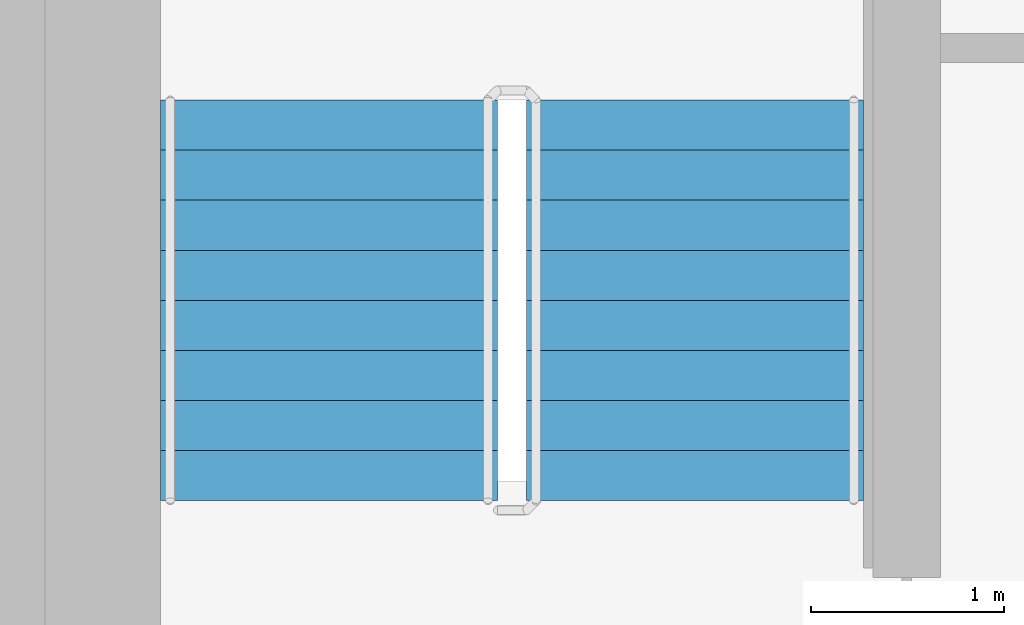
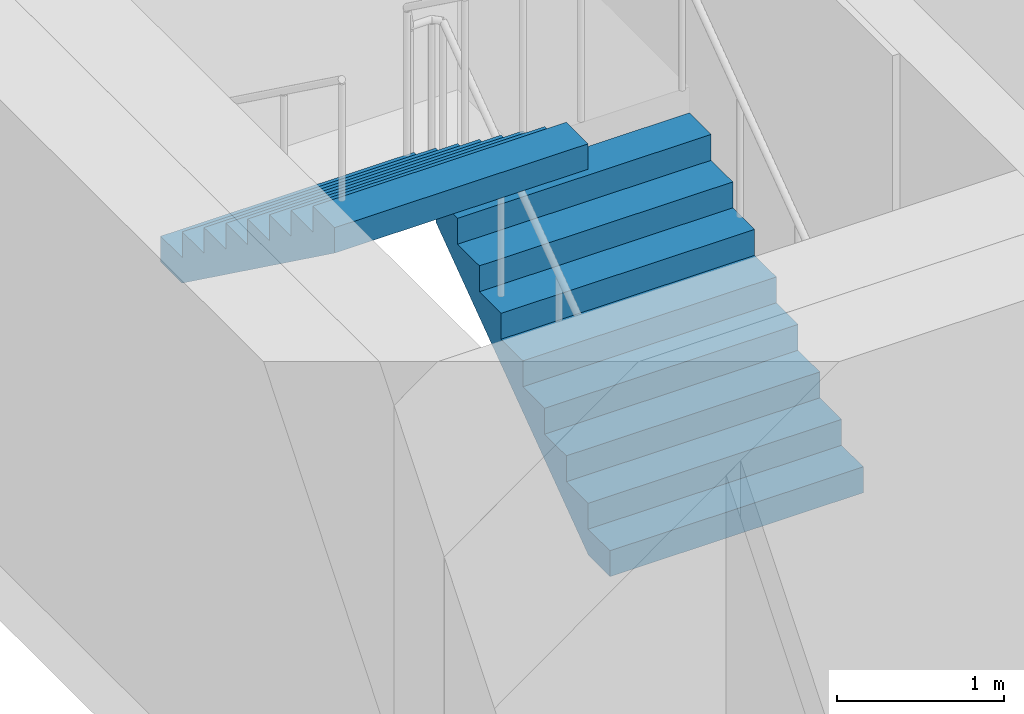
# One storey, part 15 of 18: 2 stair flights, 1 element without a shape of its own.
"""IFC4 building model written with IfcOpenShell, lengths in metres."""

from ifc_helpers import new_model, si_unit, direction, frame, origin, place, context, subcontext, project, spatial, faceted_brep, material, type_object, element, aggregate, save


model = new_model("IFC4")

# Units and contexts
model_context = context("Model", 3, precision=1e-05, world=origin(), true_north=direction((0.0, 1.0)))
body_context = subcontext(model_context, "Body", "Model", "MODEL_VIEW")
ifc_project = project(units=[si_unit("LENGTHUNIT", "METRE"), si_unit("AREAUNIT", "SQUARE_METRE"), si_unit("VOLUMEUNIT", "CUBIC_METRE"), si_unit("PLANEANGLEUNIT", "RADIAN"), si_unit("MASSUNIT", "GRAM", prefix="KILO")], contexts=[model_context])

# Site, building, storey
site_placement = place(None, origin())
site = spatial("IfcSite", under=ifc_project, at=site_placement, CompositionType="ELEMENT")
building_placement = place(site_placement, origin())
building = spatial("IfcBuilding", under=site, at=building_placement, Name="Ipe Terrace Towers", CompositionType="ELEMENT")
storey_placement = place(building_placement, frame((0.0, 0.0, 216.39990234375)))
storey = spatial("IfcBuildingStorey", under=building, at=storey_placement, Name="L60", CompositionType="ELEMENT", Elevation=216.39990234375)

# Stair, stair flights
ifc_material_1 = material(Name="Concrete C30/37", Category="concrete")
stair_type = type_object("IfcStairType", Name="Protected exit stair", PredefinedType="HALF_TURN_STAIR", material=ifc_material_1)
stair_placement = place(storey_placement, origin())
stair = element("IfcStair", 1, at=stair_placement, inside=storey, type_object=stair_type, Name="L60 Exit stair T2-C1", PredefinedType="HALF_TURN_STAIR")
ifc_material_2 = material(Name="Concrete C30/37", Category="concrete")
stair_flight_type = type_object("IfcStairFlightType", Name="Exit stair flight 1750", PredefinedType="STRAIGHT", material=ifc_material_2)
stair_flight_1_placement = place(storey_placement, frame((33.22509765625, 9.699951171875, 0.0), z_axis=(0.0, 0.0, 1.0), x_axis=(0.0, 1.0, 0.0)))
stair_flight_1 = element("IfcStairFlight", 2, at=stair_flight_1_placement, type_object=stair_flight_type, Name="T2-ST1 flight 1", NumberOfRisers=9, NumberOfTreads=8, PredefinedType="STRAIGHT", RiserHeight=0.188888889, TreadLength=0.26, context=body_context, shape_type="Brep", body=[
    faceted_brep([(0.255126953125, -0.875, 0.0), (2.080078125, -0.875, 1.325927734375), (2.080078125, -0.875, 1.51123046875), (1.820068359375, -0.875, 1.51123046875), (1.820068359375, -0.875, 1.322265625), (1.56005859375, -0.875, 1.322265625), (1.56005859375, -0.875, 1.13330078125), (1.300048828125, -0.875, 1.13330078125), (1.300048828125, -0.875, 0.9443359375), (1.0400390625, -0.875, 0.9443359375), (1.0400390625, -0.875, 0.755615234375), (0.780029296875, -0.875, 0.755615234375), (0.780029296875, -0.875, 0.566650390625), (0.52001953125, -0.875, 0.566650390625), (0.52001953125, -0.875, 0.377685546875), (0.260009765625, -0.875, 0.377685546875), (0.260009765625, -0.875, 0.18896484375), (0.0, -0.875, 0.18896484375), (0.0, -0.875, 0.0), (0.0, 0.875, 0.0), (0.0, 0.875, 0.18896484375), (0.260009765625, 0.875, 0.18896484375), (0.260009765625, 0.875, 0.377685546875), (0.52001953125, 0.875, 0.377685546875), (0.52001953125, 0.875, 0.566650390625), (0.780029296875, 0.875, 0.566650390625), (0.780029296875, 0.875, 0.755615234375), (1.0400390625, 0.875, 0.755615234375), (1.0400390625, 0.875, 0.9443359375), (1.300048828125, 0.875, 0.9443359375), (1.300048828125, 0.875, 1.13330078125), (1.56005859375, 0.875, 1.13330078125), (1.56005859375, 0.875, 1.322265625), (1.820068359375, 0.875, 1.322265625), (1.820068359375, 0.875, 1.51123046875), (2.080078125, 0.875, 1.51123046875), (2.080078125, 0.875, 1.325927734375), (0.255126953125, 0.875, 0.0), (0.0, -0.300048828125, 0.18896484375), (0.0, -0.1201171875, 0.18896484375), (0.0, -0.06005859375, 0.18896484375), (0.0, -0.030029296875, 0.18896484375), (0.0, -0.010009765625, 0.18896484375), (0.0, 0.0, 0.18896484375), (0.0, 0.010009765625, 0.18896484375), (0.0, 0.030029296875, 0.18896484375), (0.0, 0.06005859375, 0.18896484375), (0.0, 0.1201171875, 0.18896484375), (0.0, 0.300048828125, 0.18896484375), (0.0, 0.300048828125, 0.0), (0.0, 0.1201171875, 0.0), (0.0, 0.06005859375, 0.0), (0.0, 0.030029296875, 0.0), (0.0, 0.010009765625, 0.0), (0.0, 0.0, 0.0), (0.0, -0.010009765625, 0.0), (0.0, -0.030029296875, 0.0), (0.0, -0.06005859375, 0.0), (0.0, -0.1201171875, 0.0), (0.0, -0.300048828125, 0.0), (0.260009765625, -0.300048828125, 0.18896484375), (0.260009765625, -0.1201171875, 0.18896484375), (0.260009765625, -0.06005859375, 0.18896484375), (0.260009765625, -0.030029296875, 0.18896484375), (0.260009765625, -0.010009765625, 0.18896484375), (0.260009765625, 0.0, 0.18896484375), (0.260009765625, 0.010009765625, 0.18896484375), (0.260009765625, 0.030029296875, 0.18896484375), (0.260009765625, 0.06005859375, 0.18896484375), (0.260009765625, 0.1201171875, 0.18896484375), (0.260009765625, 0.300048828125, 0.18896484375), (0.260009765625, -0.300048828125, 0.377685546875), (0.260009765625, -0.1201171875, 0.377685546875), (0.260009765625, -0.06005859375, 0.377685546875), (0.260009765625, -0.030029296875, 0.377685546875), (0.260009765625, -0.010009765625, 0.377685546875), (0.260009765625, 0.0, 0.377685546875), (0.260009765625, 0.010009765625, 0.377685546875), (0.260009765625, 0.030029296875, 0.377685546875), (0.260009765625, 0.06005859375, 0.377685546875), (0.260009765625, 0.1201171875, 0.377685546875), (0.260009765625, 0.300048828125, 0.377685546875), (0.52001953125, -0.300048828125, 0.377685546875), (0.52001953125, -0.1201171875, 0.377685546875), (0.52001953125, -0.06005859375, 0.377685546875), (0.52001953125, -0.030029296875, 0.377685546875), (0.52001953125, -0.010009765625, 0.377685546875), (0.52001953125, 0.0, 0.377685546875), (0.52001953125, 0.010009765625, 0.377685546875), (0.52001953125, 0.030029296875, 0.377685546875), (0.52001953125, 0.06005859375, 0.377685546875), (0.52001953125, 0.1201171875, 0.377685546875), (0.52001953125, 0.300048828125, 0.377685546875), (0.52001953125, -0.300048828125, 0.566650390625), (0.52001953125, -0.1201171875, 0.566650390625), (0.52001953125, -0.06005859375, 0.566650390625), (0.52001953125, -0.030029296875, 0.566650390625), (0.52001953125, -0.010009765625, 0.566650390625), (0.52001953125, 0.0, 0.566650390625), (0.52001953125, 0.010009765625, 0.566650390625), (0.52001953125, 0.030029296875, 0.566650390625), (0.52001953125, 0.06005859375, 0.566650390625), (0.52001953125, 0.1201171875, 0.566650390625), (0.52001953125, 0.300048828125, 0.566650390625), (0.780029296875, -0.300048828125, 0.566650390625), (0.780029296875, -0.1201171875, 0.566650390625), (0.780029296875, -0.06005859375, 0.566650390625), (0.780029296875, -0.030029296875, 0.566650390625), (0.780029296875, -0.010009765625, 0.566650390625), (0.780029296875, 0.0, 0.566650390625), (0.780029296875, 0.010009765625, 0.566650390625), (0.780029296875, 0.030029296875, 0.566650390625), (0.780029296875, 0.06005859375, 0.566650390625), (0.780029296875, 0.1201171875, 0.566650390625), (0.780029296875, 0.300048828125, 0.566650390625), (0.780029296875, -0.300048828125, 0.755615234375), (0.780029296875, -0.1201171875, 0.755615234375), (0.780029296875, -0.06005859375, 0.755615234375), (0.780029296875, -0.030029296875, 0.755615234375), (0.780029296875, -0.010009765625, 0.755615234375), (0.780029296875, 0.0, 0.755615234375), (0.780029296875, 0.010009765625, 0.755615234375), (0.780029296875, 0.030029296875, 0.755615234375), (0.780029296875, 0.06005859375, 0.755615234375), (0.780029296875, 0.1201171875, 0.755615234375), (0.780029296875, 0.300048828125, 0.755615234375), (1.0400390625, -0.300048828125, 0.755615234375), (1.0400390625, -0.1201171875, 0.755615234375), (1.0400390625, -0.06005859375, 0.755615234375), (1.0400390625, -0.030029296875, 0.755615234375), (1.0400390625, -0.010009765625, 0.755615234375), (1.0400390625, 0.0, 0.755615234375), (1.0400390625, 0.010009765625, 0.755615234375), (1.0400390625, 0.030029296875, 0.755615234375), (1.0400390625, 0.06005859375, 0.755615234375), (1.0400390625, 0.1201171875, 0.755615234375), (1.0400390625, 0.300048828125, 0.755615234375), (1.0400390625, -0.300048828125, 0.9443359375), (1.0400390625, -0.1201171875, 0.9443359375), (1.0400390625, -0.06005859375, 0.9443359375), (1.0400390625, -0.030029296875, 0.9443359375), (1.0400390625, -0.010009765625, 0.9443359375), (1.0400390625, 0.0, 0.9443359375), (1.0400390625, 0.010009765625, 0.9443359375), (1.0400390625, 0.030029296875, 0.9443359375), (1.0400390625, 0.06005859375, 0.9443359375), (1.0400390625, 0.1201171875, 0.9443359375), (1.0400390625, 0.300048828125, 0.9443359375), (1.300048828125, -0.300048828125, 0.9443359375), (1.300048828125, -0.1201171875, 0.9443359375), (1.300048828125, -0.06005859375, 0.9443359375), (1.300048828125, -0.030029296875, 0.9443359375), (1.300048828125, -0.010009765625, 0.9443359375), (1.300048828125, 0.0, 0.9443359375), (1.300048828125, 0.010009765625, 0.9443359375), (1.300048828125, 0.030029296875, 0.9443359375), (1.300048828125, 0.06005859375, 0.9443359375), (1.300048828125, 0.1201171875, 0.9443359375), (1.300048828125, 0.300048828125, 0.9443359375), (1.300048828125, -0.300048828125, 1.13330078125), (1.300048828125, -0.1201171875, 1.13330078125), (1.300048828125, -0.06005859375, 1.13330078125), (1.300048828125, -0.030029296875, 1.13330078125), (1.300048828125, -0.010009765625, 1.13330078125), (1.300048828125, 0.0, 1.13330078125), (1.300048828125, 0.010009765625, 1.13330078125), (1.300048828125, 0.030029296875, 1.13330078125), (1.300048828125, 0.06005859375, 1.13330078125), (1.300048828125, 0.1201171875, 1.13330078125), (1.300048828125, 0.300048828125, 1.13330078125), (1.56005859375, -0.300048828125, 1.13330078125), (1.56005859375, -0.1201171875, 1.13330078125), (1.56005859375, -0.06005859375, 1.13330078125), (1.56005859375, -0.030029296875, 1.13330078125), (1.56005859375, -0.010009765625, 1.13330078125), (1.56005859375, 0.0, 1.13330078125), (1.56005859375, 0.010009765625, 1.13330078125), (1.56005859375, 0.030029296875, 1.13330078125), (1.56005859375, 0.06005859375, 1.13330078125), (1.56005859375, 0.1201171875, 1.13330078125), (1.56005859375, 0.300048828125, 1.13330078125), (1.56005859375, -0.300048828125, 1.322265625), (1.56005859375, -0.1201171875, 1.322265625), (1.56005859375, -0.06005859375, 1.322265625), (1.56005859375, -0.030029296875, 1.322265625), (1.56005859375, -0.010009765625, 1.322265625), (1.56005859375, 0.0, 1.322265625), (1.56005859375, 0.010009765625, 1.322265625), (1.56005859375, 0.030029296875, 1.322265625), (1.56005859375, 0.06005859375, 1.322265625), (1.56005859375, 0.1201171875, 1.322265625), (1.56005859375, 0.300048828125, 1.322265625), (1.820068359375, -0.300048828125, 1.322265625), (1.820068359375, -0.1201171875, 1.322265625), (1.820068359375, -0.06005859375, 1.322265625), (1.820068359375, -0.030029296875, 1.322265625), (1.820068359375, -0.010009765625, 1.322265625), (1.820068359375, 0.0, 1.322265625), (1.820068359375, 0.010009765625, 1.322265625), (1.820068359375, 0.030029296875, 1.322265625), (1.820068359375, 0.06005859375, 1.322265625), (1.820068359375, 0.1201171875, 1.322265625), (1.820068359375, 0.300048828125, 1.322265625), (1.820068359375, -0.300048828125, 1.51123046875), (1.820068359375, -0.1201171875, 1.51123046875), (1.820068359375, -0.06005859375, 1.51123046875), (1.820068359375, -0.030029296875, 1.51123046875), (1.820068359375, -0.010009765625, 1.51123046875), (1.820068359375, 0.0, 1.51123046875), (1.820068359375, 0.010009765625, 1.51123046875), (1.820068359375, 0.030029296875, 1.51123046875), (1.820068359375, 0.06005859375, 1.51123046875), (1.820068359375, 0.1201171875, 1.51123046875), (1.820068359375, 0.300048828125, 1.51123046875), (2.080078125, -0.300048828125, 1.51123046875), (2.080078125, -0.1201171875, 1.51123046875), (2.080078125, -0.06005859375, 1.51123046875), (2.080078125, -0.030029296875, 1.51123046875), (2.080078125, -0.010009765625, 1.51123046875), (2.080078125, 0.0, 1.51123046875), (2.080078125, 0.010009765625, 1.51123046875), (2.080078125, 0.030029296875, 1.51123046875), (2.080078125, 0.06005859375, 1.51123046875), (2.080078125, 0.1201171875, 1.51123046875), (2.080078125, 0.300048828125, 1.51123046875), (2.080078125, -0.300048828125, 1.325927734375), (2.080078125, -0.1201171875, 1.325927734375), (2.080078125, -0.06005859375, 1.325927734375), (2.080078125, -0.030029296875, 1.325927734375), (2.080078125, -0.010009765625, 1.325927734375), (2.080078125, 0.0, 1.325927734375), (2.080078125, 0.010009765625, 1.325927734375), (2.080078125, 0.030029296875, 1.325927734375), (2.080078125, 0.06005859375, 1.325927734375), (2.080078125, 0.1201171875, 1.325927734375), (2.080078125, 0.300048828125, 1.325927734375), (0.255126953125, -0.300048828125, 0.0), (0.255126953125, -0.1201171875, 0.0), (0.255126953125, -0.06005859375, 0.0), (0.255126953125, -0.030029296875, 0.0), (0.255126953125, -0.010009765625, 0.0), (0.255126953125, 0.0, 0.0), (0.255126953125, 0.010009765625, 0.0), (0.255126953125, 0.030029296875, 0.0), (0.255126953125, 0.06005859375, 0.0), (0.255126953125, 0.1201171875, 0.0), (0.255126953125, 0.300048828125, 0.0)], [[[0, 1, 2, 3, 4, 5, 6, 7, 8, 9, 10, 11, 12, 13, 14, 15, 16, 17, 18]], [[19, 20, 21, 22, 23, 24, 25, 26, 27, 28, 29, 30, 31, 32, 33, 34, 35, 36, 37]], [[17, 38, 39, 40, 41, 42, 43, 44, 45, 46, 47, 48, 20, 19, 49, 50, 51, 52, 53, 54, 55, 56, 57, 58, 59, 18]], [[16, 60, 61, 62, 63, 64, 65, 66, 67, 68, 69, 70, 21, 20, 48, 47, 46, 45, 44, 43, 42, 41, 40, 39, 38, 17]], [[15, 71, 72, 73, 74, 75, 76, 77, 78, 79, 80, 81, 22, 21, 70, 69, 68, 67, 66, 65, 64, 63, 62, 61, 60, 16]], [[14, 82, 83, 84, 85, 86, 87, 88, 89, 90, 91, 92, 23, 22, 81, 80, 79, 78, 77, 76, 75, 74, 73, 72, 71, 15]], [[13, 93, 94, 95, 96, 97, 98, 99, 100, 101, 102, 103, 24, 23, 92, 91, 90, 89, 88, 87, 86, 85, 84, 83, 82, 14]], [[12, 104, 105, 106, 107, 108, 109, 110, 111, 112, 113, 114, 25, 24, 103, 102, 101, 100, 99, 98, 97, 96, 95, 94, 93, 13]], [[11, 115, 116, 117, 118, 119, 120, 121, 122, 123, 124, 125, 26, 25, 114, 113, 112, 111, 110, 109, 108, 107, 106, 105, 104, 12]], [[10, 126, 127, 128, 129, 130, 131, 132, 133, 134, 135, 136, 27, 26, 125, 124, 123, 122, 121, 120, 119, 118, 117, 116, 115, 11]], [[9, 137, 138, 139, 140, 141, 142, 143, 144, 145, 146, 147, 28, 27, 136, 135, 134, 133, 132, 131, 130, 129, 128, 127, 126, 10]], [[8, 148, 149, 150, 151, 152, 153, 154, 155, 156, 157, 158, 29, 28, 147, 146, 145, 144, 143, 142, 141, 140, 139, 138, 137, 9]], [[7, 159, 160, 161, 162, 163, 164, 165, 166, 167, 168, 169, 30, 29, 158, 157, 156, 155, 154, 153, 152, 151, 150, 149, 148, 8]], [[6, 170, 171, 172, 173, 174, 175, 176, 177, 178, 179, 180, 31, 30, 169, 168, 167, 166, 165, 164, 163, 162, 161, 160, 159, 7]], [[5, 181, 182, 183, 184, 185, 186, 187, 188, 189, 190, 191, 32, 31, 180, 179, 178, 177, 176, 175, 174, 173, 172, 171, 170, 6]], [[4, 192, 193, 194, 195, 196, 197, 198, 199, 200, 201, 202, 33, 32, 191, 190, 189, 188, 187, 186, 185, 184, 183, 182, 181, 5]], [[3, 203, 204, 205, 206, 207, 208, 209, 210, 211, 212, 213, 34, 33, 202, 201, 200, 199, 198, 197, 196, 195, 194, 193, 192, 4]], [[2, 214, 215, 216, 217, 218, 219, 220, 221, 222, 223, 224, 35, 34, 213, 212, 211, 210, 209, 208, 207, 206, 205, 204, 203, 3]], [[1, 225, 226, 227, 228, 229, 230, 231, 232, 233, 234, 235, 36, 35, 224, 223, 222, 221, 220, 219, 218, 217, 216, 215, 214, 2]], [[0, 236, 237, 238, 239, 240, 241, 242, 243, 244, 245, 246, 37, 36, 235, 234, 233, 232, 231, 230, 229, 228, 227, 226, 225, 1]], [[18, 59, 58, 57, 56, 55, 54, 53, 52, 51, 50, 49, 19, 37, 246, 245, 244, 243, 242, 241, 240, 239, 238, 237, 236, 0]]]),
])
stair_flight_2_placement = place(storey_placement, frame((31.324951171875, 11.780029296875, 1.7001953125), z_axis=(0.0, 0.0, 1.0), x_axis=(0.0, -1.0, 0.0)))
stair_flight_2 = element("IfcStairFlight", 3, at=stair_flight_2_placement, type_object=stair_flight_type, Name="T2-ST1 flight 2", NumberOfRisers=9, NumberOfTreads=8, PredefinedType="STRAIGHT", RiserHeight=0.188888889, TreadLength=0.26, context=body_context, shape_type="Brep", body=[
    faceted_brep([(0.255126953125, -0.875, 0.0), (2.080078125, -0.875, 1.325927734375), (2.080078125, -0.875, 1.51123046875), (1.820068359375, -0.875, 1.51123046875), (1.820068359375, -0.875, 1.322265625), (1.56005859375, -0.875, 1.322265625), (1.56005859375, -0.875, 1.13330078125), (1.300048828125, -0.875, 1.13330078125), (1.300048828125, -0.875, 0.9443359375), (1.0400390625, -0.875, 0.9443359375), (1.0400390625, -0.875, 0.755615234375), (0.780029296875, -0.875, 0.755615234375), (0.780029296875, -0.875, 0.566650390625), (0.52001953125, -0.875, 0.566650390625), (0.52001953125, -0.875, 0.377685546875), (0.260009765625, -0.875, 0.377685546875), (0.260009765625, -0.875, 0.18896484375), (0.0, -0.875, 0.18896484375), (0.0, -0.875, 0.0), (0.0, 0.875, 0.0), (0.0, 0.875, 0.18896484375), (0.260009765625, 0.875, 0.18896484375), (0.260009765625, 0.875, 0.377685546875), (0.52001953125, 0.875, 0.377685546875), (0.52001953125, 0.875, 0.566650390625), (0.780029296875, 0.875, 0.566650390625), (0.780029296875, 0.875, 0.755615234375), (1.0400390625, 0.875, 0.755615234375), (1.0400390625, 0.875, 0.9443359375), (1.300048828125, 0.875, 0.9443359375), (1.300048828125, 0.875, 1.13330078125), (1.56005859375, 0.875, 1.13330078125), (1.56005859375, 0.875, 1.322265625), (1.820068359375, 0.875, 1.322265625), (1.820068359375, 0.875, 1.51123046875), (2.080078125, 0.875, 1.51123046875), (2.080078125, 0.875, 1.325927734375), (0.255126953125, 0.875, 0.0), (0.0, -0.300048828125, 0.18896484375), (0.0, -0.1201171875, 0.18896484375), (0.0, -0.06005859375, 0.18896484375), (0.0, -0.030029296875, 0.18896484375), (0.0, -0.010009765625, 0.18896484375), (0.0, 0.0, 0.18896484375), (0.0, 0.010009765625, 0.18896484375), (0.0, 0.030029296875, 0.18896484375), (0.0, 0.06005859375, 0.18896484375), (0.0, 0.1201171875, 0.18896484375), (0.0, 0.300048828125, 0.18896484375), (0.0, 0.300048828125, 0.0), (0.0, 0.1201171875, 0.0), (0.0, 0.06005859375, 0.0), (0.0, 0.030029296875, 0.0), (0.0, 0.010009765625, 0.0), (0.0, 0.0, 0.0), (0.0, -0.010009765625, 0.0), (0.0, -0.030029296875, 0.0), (0.0, -0.06005859375, 0.0), (0.0, -0.1201171875, 0.0), (0.0, -0.300048828125, 0.0), (0.260009765625, -0.300048828125, 0.18896484375), (0.260009765625, -0.1201171875, 0.18896484375), (0.260009765625, -0.06005859375, 0.18896484375), (0.260009765625, -0.030029296875, 0.18896484375), (0.260009765625, -0.010009765625, 0.18896484375), (0.260009765625, 0.0, 0.18896484375), (0.260009765625, 0.010009765625, 0.18896484375), (0.260009765625, 0.030029296875, 0.18896484375), (0.260009765625, 0.06005859375, 0.18896484375), (0.260009765625, 0.1201171875, 0.18896484375), (0.260009765625, 0.300048828125, 0.18896484375), (0.260009765625, -0.300048828125, 0.377685546875), (0.260009765625, -0.1201171875, 0.377685546875), (0.260009765625, -0.06005859375, 0.377685546875), (0.260009765625, -0.030029296875, 0.377685546875), (0.260009765625, -0.010009765625, 0.377685546875), (0.260009765625, 0.0, 0.377685546875), (0.260009765625, 0.010009765625, 0.377685546875), (0.260009765625, 0.030029296875, 0.377685546875), (0.260009765625, 0.06005859375, 0.377685546875), (0.260009765625, 0.1201171875, 0.377685546875), (0.260009765625, 0.300048828125, 0.377685546875), (0.52001953125, -0.300048828125, 0.377685546875), (0.52001953125, -0.1201171875, 0.377685546875), (0.52001953125, -0.06005859375, 0.377685546875), (0.52001953125, -0.030029296875, 0.377685546875), (0.52001953125, -0.010009765625, 0.377685546875), (0.52001953125, 0.0, 0.377685546875), (0.52001953125, 0.010009765625, 0.377685546875), (0.52001953125, 0.030029296875, 0.377685546875), (0.52001953125, 0.06005859375, 0.377685546875), (0.52001953125, 0.1201171875, 0.377685546875), (0.52001953125, 0.300048828125, 0.377685546875), (0.52001953125, -0.300048828125, 0.566650390625), (0.52001953125, -0.1201171875, 0.566650390625), (0.52001953125, -0.06005859375, 0.566650390625), (0.52001953125, -0.030029296875, 0.566650390625), (0.52001953125, -0.010009765625, 0.566650390625), (0.52001953125, 0.0, 0.566650390625), (0.52001953125, 0.010009765625, 0.566650390625), (0.52001953125, 0.030029296875, 0.566650390625), (0.52001953125, 0.06005859375, 0.566650390625), (0.52001953125, 0.1201171875, 0.566650390625), (0.52001953125, 0.300048828125, 0.566650390625), (0.780029296875, -0.300048828125, 0.566650390625), (0.780029296875, -0.1201171875, 0.566650390625), (0.780029296875, -0.06005859375, 0.566650390625), (0.780029296875, -0.030029296875, 0.566650390625), (0.780029296875, -0.010009765625, 0.566650390625), (0.780029296875, 0.0, 0.566650390625), (0.780029296875, 0.010009765625, 0.566650390625), (0.780029296875, 0.030029296875, 0.566650390625), (0.780029296875, 0.06005859375, 0.566650390625), (0.780029296875, 0.1201171875, 0.566650390625), (0.780029296875, 0.300048828125, 0.566650390625), (0.780029296875, -0.300048828125, 0.755615234375), (0.780029296875, -0.1201171875, 0.755615234375), (0.780029296875, -0.06005859375, 0.755615234375), (0.780029296875, -0.030029296875, 0.755615234375), (0.780029296875, -0.010009765625, 0.755615234375), (0.780029296875, 0.0, 0.755615234375), (0.780029296875, 0.010009765625, 0.755615234375), (0.780029296875, 0.030029296875, 0.755615234375), (0.780029296875, 0.06005859375, 0.755615234375), (0.780029296875, 0.1201171875, 0.755615234375), (0.780029296875, 0.300048828125, 0.755615234375), (1.0400390625, -0.300048828125, 0.755615234375), (1.0400390625, -0.1201171875, 0.755615234375), (1.0400390625, -0.06005859375, 0.755615234375), (1.0400390625, -0.030029296875, 0.755615234375), (1.0400390625, -0.010009765625, 0.755615234375), (1.0400390625, 0.0, 0.755615234375), (1.0400390625, 0.010009765625, 0.755615234375), (1.0400390625, 0.030029296875, 0.755615234375), (1.0400390625, 0.06005859375, 0.755615234375), (1.0400390625, 0.1201171875, 0.755615234375), (1.0400390625, 0.300048828125, 0.755615234375), (1.0400390625, -0.300048828125, 0.9443359375), (1.0400390625, -0.1201171875, 0.9443359375), (1.0400390625, -0.06005859375, 0.9443359375), (1.0400390625, -0.030029296875, 0.9443359375), (1.0400390625, -0.010009765625, 0.9443359375), (1.0400390625, 0.0, 0.9443359375), (1.0400390625, 0.010009765625, 0.9443359375), (1.0400390625, 0.030029296875, 0.9443359375), (1.0400390625, 0.06005859375, 0.9443359375), (1.0400390625, 0.1201171875, 0.9443359375), (1.0400390625, 0.300048828125, 0.9443359375), (1.300048828125, -0.300048828125, 0.9443359375), (1.300048828125, -0.1201171875, 0.9443359375), (1.300048828125, -0.06005859375, 0.9443359375), (1.300048828125, -0.030029296875, 0.9443359375), (1.300048828125, -0.010009765625, 0.9443359375), (1.300048828125, 0.0, 0.9443359375), (1.300048828125, 0.010009765625, 0.9443359375), (1.300048828125, 0.030029296875, 0.9443359375), (1.300048828125, 0.06005859375, 0.9443359375), (1.300048828125, 0.1201171875, 0.9443359375), (1.300048828125, 0.300048828125, 0.9443359375), (1.300048828125, -0.300048828125, 1.13330078125), (1.300048828125, -0.1201171875, 1.13330078125), (1.300048828125, -0.06005859375, 1.13330078125), (1.300048828125, -0.030029296875, 1.13330078125), (1.300048828125, -0.010009765625, 1.13330078125), (1.300048828125, 0.0, 1.13330078125), (1.300048828125, 0.010009765625, 1.13330078125), (1.300048828125, 0.030029296875, 1.13330078125), (1.300048828125, 0.06005859375, 1.13330078125), (1.300048828125, 0.1201171875, 1.13330078125), (1.300048828125, 0.300048828125, 1.13330078125), (1.56005859375, -0.300048828125, 1.13330078125), (1.56005859375, -0.1201171875, 1.13330078125), (1.56005859375, -0.06005859375, 1.13330078125), (1.56005859375, -0.030029296875, 1.13330078125), (1.56005859375, -0.010009765625, 1.13330078125), (1.56005859375, 0.0, 1.13330078125), (1.56005859375, 0.010009765625, 1.13330078125), (1.56005859375, 0.030029296875, 1.13330078125), (1.56005859375, 0.06005859375, 1.13330078125), (1.56005859375, 0.1201171875, 1.13330078125), (1.56005859375, 0.300048828125, 1.13330078125), (1.56005859375, -0.300048828125, 1.322265625), (1.56005859375, -0.1201171875, 1.322265625), (1.56005859375, -0.06005859375, 1.322265625), (1.56005859375, -0.030029296875, 1.322265625), (1.56005859375, -0.010009765625, 1.322265625), (1.56005859375, 0.0, 1.322265625), (1.56005859375, 0.010009765625, 1.322265625), (1.56005859375, 0.030029296875, 1.322265625), (1.56005859375, 0.06005859375, 1.322265625), (1.56005859375, 0.1201171875, 1.322265625), (1.56005859375, 0.300048828125, 1.322265625), (1.820068359375, -0.300048828125, 1.322265625), (1.820068359375, -0.1201171875, 1.322265625), (1.820068359375, -0.06005859375, 1.322265625), (1.820068359375, -0.030029296875, 1.322265625), (1.820068359375, -0.010009765625, 1.322265625), (1.820068359375, 0.0, 1.322265625), (1.820068359375, 0.010009765625, 1.322265625), (1.820068359375, 0.030029296875, 1.322265625), (1.820068359375, 0.06005859375, 1.322265625), (1.820068359375, 0.1201171875, 1.322265625), (1.820068359375, 0.300048828125, 1.322265625), (1.820068359375, -0.300048828125, 1.51123046875), (1.820068359375, -0.1201171875, 1.51123046875), (1.820068359375, -0.06005859375, 1.51123046875), (1.820068359375, -0.030029296875, 1.51123046875), (1.820068359375, -0.010009765625, 1.51123046875), (1.820068359375, 0.0, 1.51123046875), (1.820068359375, 0.010009765625, 1.51123046875), (1.820068359375, 0.030029296875, 1.51123046875), (1.820068359375, 0.06005859375, 1.51123046875), (1.820068359375, 0.1201171875, 1.51123046875), (1.820068359375, 0.300048828125, 1.51123046875), (2.080078125, -0.300048828125, 1.51123046875), (2.080078125, -0.1201171875, 1.51123046875), (2.080078125, -0.06005859375, 1.51123046875), (2.080078125, -0.030029296875, 1.51123046875), (2.080078125, -0.010009765625, 1.51123046875), (2.080078125, 0.0, 1.51123046875), (2.080078125, 0.010009765625, 1.51123046875), (2.080078125, 0.030029296875, 1.51123046875), (2.080078125, 0.06005859375, 1.51123046875), (2.080078125, 0.1201171875, 1.51123046875), (2.080078125, 0.300048828125, 1.51123046875), (2.080078125, -0.300048828125, 1.325927734375), (2.080078125, -0.1201171875, 1.325927734375), (2.080078125, -0.06005859375, 1.325927734375), (2.080078125, -0.030029296875, 1.325927734375), (2.080078125, -0.010009765625, 1.325927734375), (2.080078125, 0.0, 1.325927734375), (2.080078125, 0.010009765625, 1.325927734375), (2.080078125, 0.030029296875, 1.325927734375), (2.080078125, 0.06005859375, 1.325927734375), (2.080078125, 0.1201171875, 1.325927734375), (2.080078125, 0.300048828125, 1.325927734375), (0.255126953125, -0.300048828125, 0.0), (0.255126953125, -0.1201171875, 0.0), (0.255126953125, -0.06005859375, 0.0), (0.255126953125, -0.030029296875, 0.0), (0.255126953125, -0.010009765625, 0.0), (0.255126953125, 0.0, 0.0), (0.255126953125, 0.010009765625, 0.0), (0.255126953125, 0.030029296875, 0.0), (0.255126953125, 0.06005859375, 0.0), (0.255126953125, 0.1201171875, 0.0), (0.255126953125, 0.300048828125, 0.0)], [[[0, 1, 2, 3, 4, 5, 6, 7, 8, 9, 10, 11, 12, 13, 14, 15, 16, 17, 18]], [[19, 20, 21, 22, 23, 24, 25, 26, 27, 28, 29, 30, 31, 32, 33, 34, 35, 36, 37]], [[17, 38, 39, 40, 41, 42, 43, 44, 45, 46, 47, 48, 20, 19, 49, 50, 51, 52, 53, 54, 55, 56, 57, 58, 59, 18]], [[16, 60, 61, 62, 63, 64, 65, 66, 67, 68, 69, 70, 21, 20, 48, 47, 46, 45, 44, 43, 42, 41, 40, 39, 38, 17]], [[15, 71, 72, 73, 74, 75, 76, 77, 78, 79, 80, 81, 22, 21, 70, 69, 68, 67, 66, 65, 64, 63, 62, 61, 60, 16]], [[14, 82, 83, 84, 85, 86, 87, 88, 89, 90, 91, 92, 23, 22, 81, 80, 79, 78, 77, 76, 75, 74, 73, 72, 71, 15]], [[13, 93, 94, 95, 96, 97, 98, 99, 100, 101, 102, 103, 24, 23, 92, 91, 90, 89, 88, 87, 86, 85, 84, 83, 82, 14]], [[12, 104, 105, 106, 107, 108, 109, 110, 111, 112, 113, 114, 25, 24, 103, 102, 101, 100, 99, 98, 97, 96, 95, 94, 93, 13]], [[11, 115, 116, 117, 118, 119, 120, 121, 122, 123, 124, 125, 26, 25, 114, 113, 112, 111, 110, 109, 108, 107, 106, 105, 104, 12]], [[10, 126, 127, 128, 129, 130, 131, 132, 133, 134, 135, 136, 27, 26, 125, 124, 123, 122, 121, 120, 119, 118, 117, 116, 115, 11]], [[9, 137, 138, 139, 140, 141, 142, 143, 144, 145, 146, 147, 28, 27, 136, 135, 134, 133, 132, 131, 130, 129, 128, 127, 126, 10]], [[8, 148, 149, 150, 151, 152, 153, 154, 155, 156, 157, 158, 29, 28, 147, 146, 145, 144, 143, 142, 141, 140, 139, 138, 137, 9]], [[7, 159, 160, 161, 162, 163, 164, 165, 166, 167, 168, 169, 30, 29, 158, 157, 156, 155, 154, 153, 152, 151, 150, 149, 148, 8]], [[6, 170, 171, 172, 173, 174, 175, 176, 177, 178, 179, 180, 31, 30, 169, 168, 167, 166, 165, 164, 163, 162, 161, 160, 159, 7]], [[5, 181, 182, 183, 184, 185, 186, 187, 188, 189, 190, 191, 32, 31, 180, 179, 178, 177, 176, 175, 174, 173, 172, 171, 170, 6]], [[4, 192, 193, 194, 195, 196, 197, 198, 199, 200, 201, 202, 33, 32, 191, 190, 189, 188, 187, 186, 185, 184, 183, 182, 181, 5]], [[3, 203, 204, 205, 206, 207, 208, 209, 210, 211, 212, 213, 34, 33, 202, 201, 200, 199, 198, 197, 196, 195, 194, 193, 192, 4]], [[2, 214, 215, 216, 217, 218, 219, 220, 221, 222, 223, 224, 35, 34, 213, 212, 211, 210, 209, 208, 207, 206, 205, 204, 203, 3]], [[1, 225, 226, 227, 228, 229, 230, 231, 232, 233, 234, 235, 36, 35, 224, 223, 222, 221, 220, 219, 218, 217, 216, 215, 214, 2]], [[0, 236, 237, 238, 239, 240, 241, 242, 243, 244, 245, 246, 37, 36, 235, 234, 233, 232, 231, 230, 229, 228, 227, 226, 225, 1]], [[18, 59, 58, 57, 56, 55, 54, 53, 52, 51, 50, 49, 19, 37, 246, 245, 244, 243, 242, 241, 240, 239, 238, 237, 236, 0]]]),
])
aggregate(stair, [stair_flight_1, stair_flight_2])

save(model, "model.ifc")
